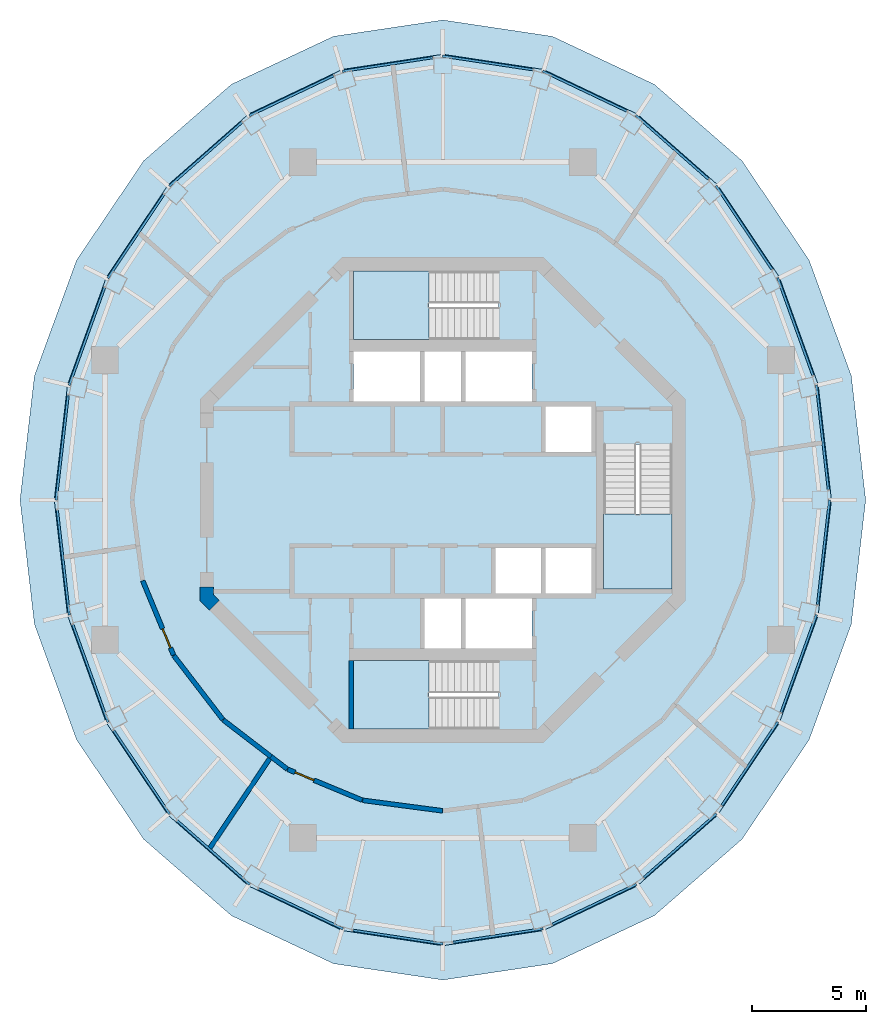
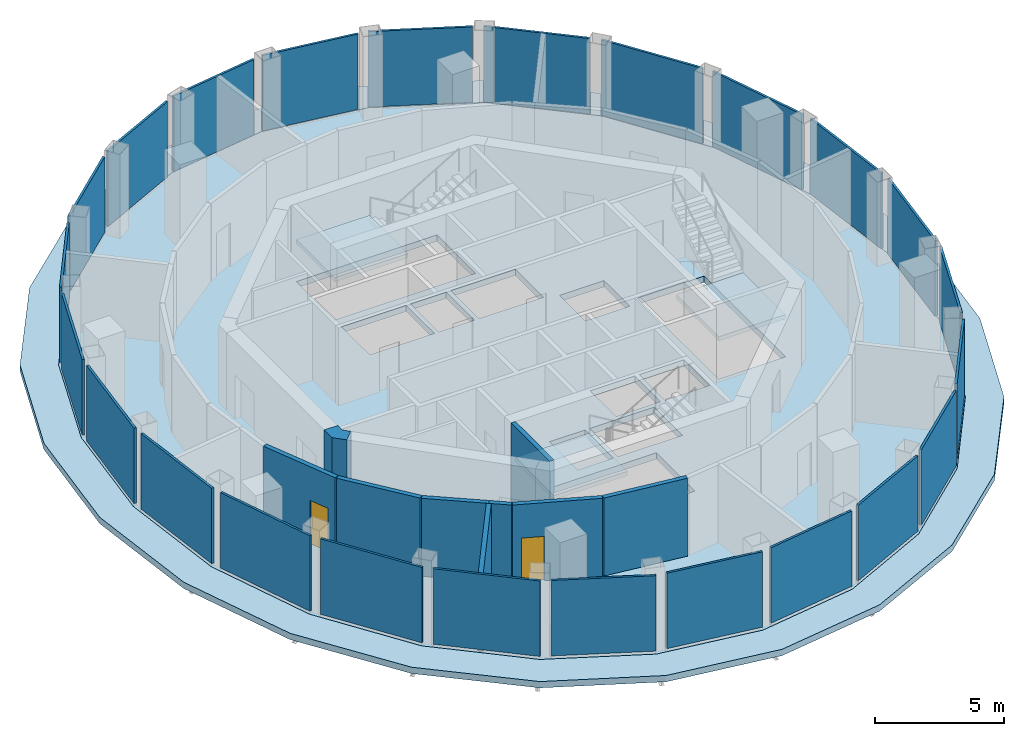
# One storey, part 7 of 11: 24 plates, 9 walls, 5 slabs, 2 doors, 2 openings, 27 elements without a shape of their own.
"""IFC4 building model written with IfcOpenShell, lengths in metres."""

from ifc_helpers import new_model, si_unit, direction, frame, frame_2d, origin, origin_2d, place, context, subcontext, project, spatial, polyline, rectangle, outline, extrude, material, layer, layer_set, type_object, element, fill, aggregate, save


model = new_model("IFC4")

# Units and contexts
model_context = context("Model", 3, precision=1e-05, world=origin(), true_north=direction((0.0, 1.0)))
body_context = subcontext(model_context, "Body", "Model", "MODEL_VIEW")
ifc_project = project(units=[si_unit("LENGTHUNIT", "METRE"), si_unit("AREAUNIT", "SQUARE_METRE"), si_unit("VOLUMEUNIT", "CUBIC_METRE"), si_unit("PLANEANGLEUNIT", "RADIAN"), si_unit("MASSUNIT", "GRAM", prefix="KILO")], contexts=[model_context])

# Site, building, storey
site_placement = place(None, origin())
site = spatial("IfcSite", under=ifc_project, at=site_placement, CompositionType="ELEMENT")
building_placement = place(site_placement, origin())
building = spatial("IfcBuilding", under=site, at=building_placement, Name="Nagisa Residences", CompositionType="ELEMENT")
storey_placement = place(building_placement, frame((0.0, 0.0, 324.89990234375)))
storey = spatial("IfcBuildingStorey", under=building, at=storey_placement, Name="L80", CompositionType="ELEMENT", Elevation=324.89990234375)

# Curtain wall, plate
ifc_material_1 = material(Name="Aluminium curtain wall system", Category="aluminium")
ifc_layer_1 = layer(ifc_material_1, 0.159912109375)
ifc_layer_set_1 = layer_set([ifc_layer_1], Name="CW5 CURTAIN WALL")
curtain_wall_type = type_object("IfcCurtainWallType", Name="CW5 CURTAIN WALL", PredefinedType="NOTDEFINED", material=ifc_layer_set_1)
curtain_wall_1_placement = place(storey_placement, origin())
curtain_wall_1 = element("IfcCurtainWall", 1, at=curtain_wall_1_placement, inside=storey, type_object=curtain_wall_type, Name="cw:CW5:L80:00", PredefinedType="NOTDEFINED")
ifc_material_2 = material(Name="Aluminium louvre", Category="aluminium")
ifc_layer_2 = layer(ifc_material_2, 0.10009765625)
ifc_layer_set_2 = layer_set([ifc_layer_2], Name="CW5 LOUVRE PANEL")
plate_type = type_object("IfcPlateType", Name="CW5 LOUVRE PANEL", PredefinedType="CURTAIN_PANEL", material=ifc_layer_set_2)
plate_1_placement = place(storey_placement, frame((16.604736328125, 2.742919921875, 0.1201171875), z_axis=(0.0, 0.0, 1.0), x_axis=(-0.114025397474, 0.993477835048, 0.0)))
plate_1 = element("IfcPlate", 2, at=plate_1_placement, type_object=plate_type, Name="CW5 panel", PredefinedType="CURTAIN_PANEL", context=body_context, shape_type="SweptSolid", body=[
    extrude(rectangle(XDim=4.6201171875, YDim=0.10009765625, at=origin_2d()), origin(), (0.0, 0.0, 1.0), 3.580078125),
])
aggregate(curtain_wall_1, [plate_1])

curtain_wall_2_placement = place(storey_placement, origin())
curtain_wall_2 = element("IfcCurtainWall", 3, at=curtain_wall_2_placement, inside=storey, type_object=curtain_wall_type, Name="cw:CW5:L80:01", PredefinedType="NOTDEFINED")
plate_2_placement = place(storey_placement, frame((15.418212890625, 7.587646484375, 0.1201171875), z_axis=(0.0, 0.0, 1.0), x_axis=(-0.339642923136, 0.940554456033, 0.0)))
plate_2 = element("IfcPlate", 4, at=plate_2_placement, type_object=plate_type, Name="CW5 panel", PredefinedType="CURTAIN_PANEL", context=body_context, shape_type="SweptSolid", body=[
    extrude(rectangle(XDim=4.540283203125, YDim=0.10009765625, at=origin_2d()), origin(), (0.0, 0.0, 1.0), 3.580078125),
])
aggregate(curtain_wall_2, [plate_2])

curtain_wall_3_placement = place(storey_placement, origin())
curtain_wall_3 = element("IfcCurtainWall", 5, at=curtain_wall_3_placement, inside=storey, type_object=curtain_wall_type, Name="cw:CW5:L80:02", PredefinedType="NOTDEFINED")
plate_3_placement = place(storey_placement, frame((13.17724609375, 11.916015625, 0.1201171875), z_axis=(0.0, 0.0, 1.0), x_axis=(-0.556014393027, 0.831172662415, 0.0)))
plate_3 = element("IfcPlate", 6, at=plate_3_placement, type_object=plate_type, Name="CW5 panel", PredefinedType="CURTAIN_PANEL", context=body_context, shape_type="SweptSolid", body=[
    extrude(rectangle(XDim=4.39892578125, YDim=0.10009765625, at=origin_2d()), origin(), (0.0, 0.0, 1.0), 3.580078125),
])
aggregate(curtain_wall_3, [plate_3])

curtain_wall_4_placement = place(storey_placement, origin())
curtain_wall_4 = element("IfcCurtainWall", 7, at=curtain_wall_4_placement, inside=storey, type_object=curtain_wall_type, Name="cw:CW5:L80:03", PredefinedType="NOTDEFINED")
plate_4_placement = place(storey_placement, frame((10.034912109375, 15.429931640625, 0.1201171875), z_axis=(0.0, 0.0, 1.0), x_axis=(-0.750650526795, 0.660699467703, 0.0)))
plate_4 = element("IfcPlate", 8, at=plate_4_placement, type_object=plate_type, Name="CW5 panel", PredefinedType="CURTAIN_PANEL", context=body_context, shape_type="SweptSolid", body=[
    extrude(rectangle(XDim=4.23046875, YDim=0.10009765625, at=origin_2d()), origin(), (0.0, 0.0, 1.0), 3.580078125),
])
aggregate(curtain_wall_4, [plate_4])

curtain_wall_5_placement = place(storey_placement, origin())
curtain_wall_5 = element("IfcCurtainWall", 9, at=curtain_wall_5_placement, inside=storey, type_object=curtain_wall_type, Name="cw:CW5:L80:04", PredefinedType="NOTDEFINED")
plate_5_placement = place(storey_placement, frame((6.2080078125, 17.887939453125, 0.1201171875), z_axis=(0.0, 0.0, 1.0), x_axis=(-0.903232929992, 0.429150642757, 0.0)))
plate_5 = element("IfcPlate", 10, at=plate_5_placement, type_object=plate_type, Name="CW5 panel", PredefinedType="CURTAIN_PANEL", context=body_context, shape_type="SweptSolid", body=[
    extrude(rectangle(XDim=4.079345703125, YDim=0.10009765625, at=origin_2d()), origin(), (0.0, 0.0, 1.0), 3.580078125),
])
aggregate(curtain_wall_5, [plate_5])

curtain_wall_6_placement = place(storey_placement, origin())
curtain_wall_6 = element("IfcCurtainWall", 11, at=curtain_wall_6_placement, inside=storey, type_object=curtain_wall_type, Name="cw:CW5:L80:05", PredefinedType="NOTDEFINED")
plate_6_placement = place(storey_placement, frame((1.960693359375, 19.123046875, 0.1201171875), z_axis=(0.0, 0.0, 1.0), x_axis=(-0.988788904158, 0.149320135997, 0.0)))
plate_6 = element("IfcPlate", 12, at=plate_6_placement, type_object=plate_type, Name="CW5 panel", PredefinedType="CURTAIN_PANEL", context=body_context, shape_type="SweptSolid", body=[
    extrude(rectangle(XDim=3.98974609375, YDim=0.10009765625, at=origin_2d()), origin(), (0.0, 0.0, 1.0), 3.580078125),
])
aggregate(curtain_wall_6, [plate_6])

curtain_wall_7_placement = place(storey_placement, origin())
curtain_wall_7 = element("IfcCurtainWall", 13, at=curtain_wall_7_placement, inside=storey, type_object=curtain_wall_type, Name="cw:CW5:L80:06", PredefinedType="NOTDEFINED")
plate_7_placement = place(storey_placement, frame((-2.41552734375, 19.054443359375, 0.1201171875), z_axis=(0.0, 0.0, 1.0), x_axis=(-0.988788904158, -0.149320135997, 0.0)))
plate_7 = element("IfcPlate", 14, at=plate_7_placement, type_object=plate_type, Name="CW5 panel", PredefinedType="CURTAIN_PANEL", context=body_context, shape_type="SweptSolid", body=[
    extrude(rectangle(XDim=3.98974609375, YDim=0.10009765625, at=origin_2d()), origin(), (0.0, 0.0, 1.0), 3.580078125),
])
aggregate(curtain_wall_7, [plate_7])

curtain_wall_8_placement = place(storey_placement, origin())
curtain_wall_8 = element("IfcCurtainWall", 15, at=curtain_wall_8_placement, inside=storey, type_object=curtain_wall_type, Name="cw:CW5:L80:07", PredefinedType="NOTDEFINED")
plate_8_placement = place(storey_placement, frame((-6.623291015625, 17.690673828125, 0.1201171875), z_axis=(0.0, 0.0, 1.0), x_axis=(-0.903232929992, -0.429150642757, 0.0)))
plate_8 = element("IfcPlate", 16, at=plate_8_placement, type_object=plate_type, Name="CW5 panel", PredefinedType="CURTAIN_PANEL", context=body_context, shape_type="SweptSolid", body=[
    extrude(rectangle(XDim=4.079345703125, YDim=0.10009765625, at=origin_2d()), origin(), (0.0, 0.0, 1.0), 3.580078125),
])
aggregate(curtain_wall_8, [plate_8])

curtain_wall_9_placement = place(storey_placement, origin())
curtain_wall_9 = element("IfcCurtainWall", 17, at=curtain_wall_9_placement, inside=storey, type_object=curtain_wall_type, Name="cw:CW5:L80:08", PredefinedType="NOTDEFINED")
plate_9_placement = place(storey_placement, frame((-10.380126953125, 15.1259765625, 0.1201171875), z_axis=(0.0, 0.0, 1.0), x_axis=(-0.750650526795, -0.660699467703, 0.0)))
plate_9 = element("IfcPlate", 18, at=plate_9_placement, type_object=plate_type, Name="CW5 panel", PredefinedType="CURTAIN_PANEL", context=body_context, shape_type="SweptSolid", body=[
    extrude(rectangle(XDim=4.23046875, YDim=0.10009765625, at=origin_2d()), origin(), (0.0, 0.0, 1.0), 3.580078125),
])
aggregate(curtain_wall_9, [plate_9])

curtain_wall_10_placement = place(storey_placement, origin())
curtain_wall_10 = element("IfcCurtainWall", 19, at=curtain_wall_10_placement, inside=storey, type_object=curtain_wall_type, Name="cw:CW5:L80:09", PredefinedType="NOTDEFINED")
plate_10_placement = place(storey_placement, frame((-13.43310546875, 11.53369140625, 0.1201171875), z_axis=(0.0, 0.0, 1.0), x_axis=(-0.556014393027, -0.831172662415, 0.0)))
plate_10 = element("IfcPlate", 20, at=plate_10_placement, type_object=plate_type, Name="CW5 panel", PredefinedType="CURTAIN_PANEL", context=body_context, shape_type="SweptSolid", body=[
    extrude(rectangle(XDim=4.39892578125, YDim=0.10009765625, at=origin_2d()), origin(), (0.0, 0.0, 1.0), 3.580078125),
])
aggregate(curtain_wall_10, [plate_10])

curtain_wall_11_placement = place(storey_placement, origin())
curtain_wall_11 = element("IfcCurtainWall", 21, at=curtain_wall_11_placement, inside=storey, type_object=curtain_wall_type, Name="cw:CW5:L80:10", PredefinedType="NOTDEFINED")
plate_11_placement = place(storey_placement, frame((-15.574462890625, 7.155029296875, 0.1201171875), z_axis=(0.0, 0.0, 1.0), x_axis=(-0.339642923136, -0.940554456033, 0.0)))
plate_11 = element("IfcPlate", 22, at=plate_11_placement, type_object=plate_type, Name="CW5 panel", PredefinedType="CURTAIN_PANEL", context=body_context, shape_type="SweptSolid", body=[
    extrude(rectangle(XDim=4.540283203125, YDim=0.10009765625, at=origin_2d()), origin(), (0.0, 0.0, 1.0), 3.580078125),
])
aggregate(curtain_wall_11, [plate_11])

curtain_wall_12_placement = place(storey_placement, origin())
curtain_wall_12 = element("IfcCurtainWall", 23, at=curtain_wall_12_placement, inside=storey, type_object=curtain_wall_type, Name="cw:CW5:L80:11", PredefinedType="NOTDEFINED")
plate_12_placement = place(storey_placement, frame((-16.6572265625, 2.285888671875, 0.1201171875), z_axis=(0.0, 0.0, 1.0), x_axis=(-0.114025397474, -0.993477835048, 0.0)))
plate_12 = element("IfcPlate", 24, at=plate_12_placement, type_object=plate_type, Name="CW5 panel", PredefinedType="CURTAIN_PANEL", context=body_context, shape_type="SweptSolid", body=[
    extrude(rectangle(XDim=4.6201171875, YDim=0.10009765625, at=origin_2d()), origin(), (0.0, 0.0, 1.0), 3.580078125),
])
aggregate(curtain_wall_12, [plate_12])

curtain_wall_13_placement = place(storey_placement, origin())
curtain_wall_13 = element("IfcCurtainWall", 25, at=curtain_wall_13_placement, inside=storey, type_object=curtain_wall_type, Name="cw:CW5:L80:12", PredefinedType="NOTDEFINED")
plate_13_placement = place(storey_placement, frame((-16.604736328125, -2.742919921875, 0.1201171875), z_axis=(0.0, 0.0, 1.0), x_axis=(0.114025397474, -0.993477835048, 0.0)))
plate_13 = element("IfcPlate", 26, at=plate_13_placement, type_object=plate_type, Name="CW5 panel", PredefinedType="CURTAIN_PANEL", context=body_context, shape_type="SweptSolid", body=[
    extrude(rectangle(XDim=4.6201171875, YDim=0.10009765625, at=origin_2d()), origin(), (0.0, 0.0, 1.0), 3.580078125),
])
aggregate(curtain_wall_13, [plate_13])

curtain_wall_14_placement = place(storey_placement, origin())
curtain_wall_14 = element("IfcCurtainWall", 27, at=curtain_wall_14_placement, inside=storey, type_object=curtain_wall_type, Name="cw:CW5:L80:13", PredefinedType="NOTDEFINED")
plate_14_placement = place(storey_placement, frame((-15.418212890625, -7.587646484375, 0.1201171875), z_axis=(0.0, 0.0, 1.0), x_axis=(0.339642923136, -0.940554456033, 0.0)))
plate_14 = element("IfcPlate", 28, at=plate_14_placement, type_object=plate_type, Name="CW5 panel", PredefinedType="CURTAIN_PANEL", context=body_context, shape_type="SweptSolid", body=[
    extrude(rectangle(XDim=4.540283203125, YDim=0.10009765625, at=origin_2d()), origin(), (0.0, 0.0, 1.0), 3.580078125),
])
aggregate(curtain_wall_14, [plate_14])

curtain_wall_15_placement = place(storey_placement, origin())
curtain_wall_15 = element("IfcCurtainWall", 29, at=curtain_wall_15_placement, inside=storey, type_object=curtain_wall_type, Name="cw:CW5:L80:14", PredefinedType="NOTDEFINED")
plate_15_placement = place(storey_placement, frame((-13.17724609375, -11.916015625, 0.1201171875), z_axis=(0.0, 0.0, 1.0), x_axis=(0.556014393027, -0.831172662415, 0.0)))
plate_15 = element("IfcPlate", 30, at=plate_15_placement, type_object=plate_type, Name="CW5 panel", PredefinedType="CURTAIN_PANEL", context=body_context, shape_type="SweptSolid", body=[
    extrude(rectangle(XDim=4.39892578125, YDim=0.10009765625, at=origin_2d()), origin(), (0.0, 0.0, 1.0), 3.580078125),
])
aggregate(curtain_wall_15, [plate_15])

curtain_wall_16_placement = place(storey_placement, origin())
curtain_wall_16 = element("IfcCurtainWall", 31, at=curtain_wall_16_placement, inside=storey, type_object=curtain_wall_type, Name="cw:CW5:L80:15", PredefinedType="NOTDEFINED")
plate_16_placement = place(storey_placement, frame((-10.034912109375, -15.429931640625, 0.1201171875), z_axis=(0.0, 0.0, 1.0), x_axis=(0.750650526795, -0.660699467703, 0.0)))
plate_16 = element("IfcPlate", 32, at=plate_16_placement, type_object=plate_type, Name="CW5 panel", PredefinedType="CURTAIN_PANEL", context=body_context, shape_type="SweptSolid", body=[
    extrude(rectangle(XDim=4.23046875, YDim=0.10009765625, at=origin_2d()), origin(), (0.0, 0.0, 1.0), 3.580078125),
])
aggregate(curtain_wall_16, [plate_16])

curtain_wall_17_placement = place(storey_placement, origin())
curtain_wall_17 = element("IfcCurtainWall", 33, at=curtain_wall_17_placement, inside=storey, type_object=curtain_wall_type, Name="cw:CW5:L80:16", PredefinedType="NOTDEFINED")
plate_17_placement = place(storey_placement, frame((-6.2080078125, -17.887939453125, 0.1201171875), z_axis=(0.0, 0.0, 1.0), x_axis=(0.903232929992, -0.429150642757, 0.0)))
plate_17 = element("IfcPlate", 34, at=plate_17_placement, type_object=plate_type, Name="CW5 panel", PredefinedType="CURTAIN_PANEL", context=body_context, shape_type="SweptSolid", body=[
    extrude(rectangle(XDim=4.079345703125, YDim=0.10009765625, at=origin_2d()), origin(), (0.0, 0.0, 1.0), 3.580078125),
])
aggregate(curtain_wall_17, [plate_17])

curtain_wall_18_placement = place(storey_placement, origin())
curtain_wall_18 = element("IfcCurtainWall", 35, at=curtain_wall_18_placement, inside=storey, type_object=curtain_wall_type, Name="cw:CW5:L80:17", PredefinedType="NOTDEFINED")
plate_18_placement = place(storey_placement, frame((-1.960693359375, -19.123046875, 0.1201171875), z_axis=(0.0, 0.0, 1.0), x_axis=(0.988788904158, -0.149320135997, 0.0)))
plate_18 = element("IfcPlate", 36, at=plate_18_placement, type_object=plate_type, Name="CW5 panel", PredefinedType="CURTAIN_PANEL", context=body_context, shape_type="SweptSolid", body=[
    extrude(rectangle(XDim=3.98974609375, YDim=0.10009765625, at=origin_2d()), origin(), (0.0, 0.0, 1.0), 3.580078125),
])
aggregate(curtain_wall_18, [plate_18])

curtain_wall_19_placement = place(storey_placement, origin())
curtain_wall_19 = element("IfcCurtainWall", 37, at=curtain_wall_19_placement, inside=storey, type_object=curtain_wall_type, Name="cw:CW5:L80:18", PredefinedType="NOTDEFINED")
plate_19_placement = place(storey_placement, frame((2.41552734375, -19.054443359375, 0.1201171875), z_axis=(0.0, 0.0, 1.0), x_axis=(0.988788904158, 0.149320135997, 0.0)))
plate_19 = element("IfcPlate", 38, at=plate_19_placement, type_object=plate_type, Name="CW5 panel", PredefinedType="CURTAIN_PANEL", context=body_context, shape_type="SweptSolid", body=[
    extrude(rectangle(XDim=3.98974609375, YDim=0.10009765625, at=origin_2d()), origin(), (0.0, 0.0, 1.0), 3.580078125),
])
aggregate(curtain_wall_19, [plate_19])

curtain_wall_20_placement = place(storey_placement, origin())
curtain_wall_20 = element("IfcCurtainWall", 39, at=curtain_wall_20_placement, inside=storey, type_object=curtain_wall_type, Name="cw:CW5:L80:19", PredefinedType="NOTDEFINED")
plate_20_placement = place(storey_placement, frame((6.623291015625, -17.690673828125, 0.1201171875), z_axis=(0.0, 0.0, 1.0), x_axis=(0.903232929992, 0.429150642757, 0.0)))
plate_20 = element("IfcPlate", 40, at=plate_20_placement, type_object=plate_type, Name="CW5 panel", PredefinedType="CURTAIN_PANEL", context=body_context, shape_type="SweptSolid", body=[
    extrude(rectangle(XDim=4.079345703125, YDim=0.10009765625, at=origin_2d()), origin(), (0.0, 0.0, 1.0), 3.580078125),
])
aggregate(curtain_wall_20, [plate_20])

curtain_wall_21_placement = place(storey_placement, origin())
curtain_wall_21 = element("IfcCurtainWall", 41, at=curtain_wall_21_placement, inside=storey, type_object=curtain_wall_type, Name="cw:CW5:L80:20", PredefinedType="NOTDEFINED")
plate_21_placement = place(storey_placement, frame((10.380126953125, -15.1259765625, 0.1201171875), z_axis=(0.0, 0.0, 1.0), x_axis=(0.750650526795, 0.660699467703, 0.0)))
plate_21 = element("IfcPlate", 42, at=plate_21_placement, type_object=plate_type, Name="CW5 panel", PredefinedType="CURTAIN_PANEL", context=body_context, shape_type="SweptSolid", body=[
    extrude(rectangle(XDim=4.23046875, YDim=0.10009765625, at=origin_2d()), origin(), (0.0, 0.0, 1.0), 3.580078125),
])
aggregate(curtain_wall_21, [plate_21])

curtain_wall_22_placement = place(storey_placement, origin())
curtain_wall_22 = element("IfcCurtainWall", 43, at=curtain_wall_22_placement, inside=storey, type_object=curtain_wall_type, Name="cw:CW5:L80:21", PredefinedType="NOTDEFINED")
plate_22_placement = place(storey_placement, frame((13.43310546875, -11.53369140625, 0.1201171875), z_axis=(0.0, 0.0, 1.0), x_axis=(0.556014393027, 0.831172662415, 0.0)))
plate_22 = element("IfcPlate", 44, at=plate_22_placement, type_object=plate_type, Name="CW5 panel", PredefinedType="CURTAIN_PANEL", context=body_context, shape_type="SweptSolid", body=[
    extrude(rectangle(XDim=4.39892578125, YDim=0.10009765625, at=origin_2d()), origin(), (0.0, 0.0, 1.0), 3.580078125),
])
aggregate(curtain_wall_22, [plate_22])

curtain_wall_23_placement = place(storey_placement, origin())
curtain_wall_23 = element("IfcCurtainWall", 45, at=curtain_wall_23_placement, inside=storey, type_object=curtain_wall_type, Name="cw:CW5:L80:22", PredefinedType="NOTDEFINED")
plate_23_placement = place(storey_placement, frame((15.574462890625, -7.155029296875, 0.1201171875), z_axis=(0.0, 0.0, 1.0), x_axis=(0.339642923136, 0.940554456033, 0.0)))
plate_23 = element("IfcPlate", 46, at=plate_23_placement, type_object=plate_type, Name="CW5 panel", PredefinedType="CURTAIN_PANEL", context=body_context, shape_type="SweptSolid", body=[
    extrude(rectangle(XDim=4.540283203125, YDim=0.10009765625, at=origin_2d()), origin(), (0.0, 0.0, 1.0), 3.580078125),
])
aggregate(curtain_wall_23, [plate_23])

curtain_wall_24_placement = place(storey_placement, origin())
curtain_wall_24 = element("IfcCurtainWall", 47, at=curtain_wall_24_placement, inside=storey, type_object=curtain_wall_type, Name="cw:CW5:L80:23", PredefinedType="NOTDEFINED")
plate_24_placement = place(storey_placement, frame((16.6572265625, -2.285888671875, 0.1201171875), z_axis=(0.0, 0.0, 1.0), x_axis=(0.114025397474, 0.993477835048, 0.0)))
plate_24 = element("IfcPlate", 48, at=plate_24_placement, type_object=plate_type, Name="CW5 panel", PredefinedType="CURTAIN_PANEL", context=body_context, shape_type="SweptSolid", body=[
    extrude(rectangle(XDim=4.6201171875, YDim=0.10009765625, at=origin_2d()), origin(), (0.0, 0.0, 1.0), 3.580078125),
])
aggregate(curtain_wall_24, [plate_24])

# Slabs
ifc_material_3 = material(Name="Concrete C40", Category="concrete")
ifc_layer_3 = layer(ifc_material_3, 0.300048828125)
ifc_layer_set_3 = layer_set([ifc_layer_3], Name="Floor slab 300")
slab_type_1 = type_object("IfcSlabType", Name="Floor slab 300", PredefinedType="FLOOR", material=ifc_layer_set_3)
slab_1_placement = place(storey_placement, frame((0.0, 0.0, -0.2998046875)))
element("IfcSlab", 49, at=slab_1_placement, inside=storey, type_object=slab_type_1, Name="slab:L80:floor", PredefinedType="FLOOR", context=body_context, shape_type="SweptSolid", body=[
    extrude(outline(polyline([(17.0, 0.0), (16.420654296875, 5.046875), (14.722412109375, 9.75), (12.020751953125, 13.78857421875), (8.5, 16.887451171875), (4.39990234375, 18.83544921875), (0.0, 19.5), (-4.39990234375, 18.83544921875), (-8.5, 16.887451171875), (-12.020751953125, 13.78857421875), (-14.722412109375, 9.75), (-16.420654296875, 5.046875), (-17.0, 0.0), (-16.420654296875, -5.046875), (-14.722412109375, -9.75), (-12.020751953125, -13.78857421875), (-8.5, -16.887451171875), (-4.39990234375, -18.83544921875), (0.0, -19.5), (4.39990234375, -18.83544921875), (8.5, -16.887451171875), (12.020751953125, -13.78857421875), (14.722412109375, -9.75), (16.420654296875, -5.046875), (17.0, 0.0)]), holes=[polyline([(6.5, 2.10009765625), (6.5, 4.10009765625), (4.5, 4.10009765625), (4.5, 2.10009765625), (6.5, 2.10009765625)]), polyline([(4.300048828125, -4.10009765625), (4.300048828125, -2.10009765625), (2.300048828125, -2.10009765625), (2.300048828125, -4.10009765625), (4.300048828125, -4.10009765625)]), polyline([(6.5, -4.10009765625), (6.5, -2.10009765625), (4.5, -2.10009765625), (4.5, -4.10009765625), (6.5, -4.10009765625)]), polyline([(3.89990234375, 4.300048828125), (3.89990234375, 6.5), (1.0, 6.5), (1.0, 4.300048828125), (3.89990234375, 4.300048828125)]), polyline([(3.89990234375, -6.5), (3.89990234375, -4.300048828125), (1.0, -4.300048828125), (1.0, -6.5), (3.89990234375, -6.5)]), polyline([(-1.0, 4.300048828125), (-1.0, 6.5), (-3.89990234375, 6.5), (-3.89990234375, 4.300048828125), (-1.0, 4.300048828125)]), polyline([(0.800048828125, 4.300048828125), (0.800048828125, 6.5), (-0.800048828125, 6.5), (-0.800048828125, 4.300048828125), (0.800048828125, 4.300048828125)]), polyline([(0.800048828125, -6.5), (0.800048828125, -4.300048828125), (-0.800048828125, -4.300048828125), (-0.800048828125, -6.5), (0.800048828125, -6.5)]), polyline([(10.024658203125, -3.89990234375), (7.024658203125, -3.89990234375), (7.024658203125, 2.425048828125), (10.024658203125, 2.425048828125), (10.024658203125, -3.89990234375)]), polyline([(-3.89990234375, 7.024658203125), (-3.89990234375, 10.024658203125), (2.425048828125, 10.024658203125), (2.425048828125, 7.024658203125), (-3.89990234375, 7.024658203125)]), polyline([(-3.89990234375, -10.024658203125), (-3.89990234375, -7.024658203125), (2.425048828125, -7.024658203125), (2.425048828125, -10.024658203125), (-3.89990234375, -10.024658203125)])]), origin(), (0.0, 0.0, 1.0), 0.2998046875),
])
ifc_material_4 = material(Name="Concrete C40/50", Category="concrete")
ifc_layer_4 = layer(ifc_material_4, 0.300048828125)
ifc_layer_set_4 = layer_set([ifc_layer_4], Name="LANTERN RING ROOF 300")
slab_type_2 = type_object("IfcSlabType", Name="LANTERN RING ROOF 300", PredefinedType="ROOF", material=ifc_layer_set_4)
slab_2_placement = place(storey_placement, frame((0.0, 0.0, -0.2998046875)))
element("IfcSlab", 50, at=slab_2_placement, inside=storey, type_object=slab_type_2, Name="slab:L79:lanternroof", PredefinedType="ROOF", context=body_context, shape_type="SweptSolid", body=[
    extrude(outline(polyline([(18.5, 0.0), (17.86962890625, 5.435302734375), (16.021484375, 10.5), (13.08154296875, 14.84912109375), (9.25, 18.1865234375), (4.7880859375, 20.284423828125), (0.0, 21.0), (-4.7880859375, 20.284423828125), (-9.25, 18.1865234375), (-13.08154296875, 14.84912109375), (-16.021484375, 10.5), (-17.86962890625, 5.435302734375), (-18.5, 0.0), (-17.86962890625, -5.435302734375), (-16.021484375, -10.5), (-13.08154296875, -14.84912109375), (-9.25, -18.1865234375), (-4.7880859375, -20.284423828125), (0.0, -21.0), (4.7880859375, -20.284423828125), (9.25, -18.1865234375), (13.08154296875, -14.84912109375), (16.021484375, -10.5), (17.86962890625, -5.435302734375), (18.5, 0.0)]), holes=[polyline([(17.0, 0.0), (16.420654296875, 5.046875), (14.722412109375, 9.75), (12.020751953125, 13.78857421875), (8.5, 16.887451171875), (4.39990234375, 18.83544921875), (0.0, 19.5), (-4.39990234375, 18.83544921875), (-8.5, 16.887451171875), (-12.020751953125, 13.78857421875), (-14.722412109375, 9.75), (-16.420654296875, 5.046875), (-17.0, 0.0), (-16.420654296875, -5.046875), (-14.722412109375, -9.75), (-12.020751953125, -13.78857421875), (-8.5, -16.887451171875), (-4.39990234375, -18.83544921875), (0.0, -19.5), (4.39990234375, -18.83544921875), (8.5, -16.887451171875), (12.020751953125, -13.78857421875), (14.722412109375, -9.75), (16.420654296875, -5.046875), (17.0, 0.0)])]), origin(), (0.0, 0.0, 1.0), 0.2998046875),
])

# Stair, slab
ifc_material_5 = material(Name="Concrete C60", Category="concrete")
stair_type = type_object("IfcStairType", Name="Exit stair", PredefinedType="HALF_TURN_STAIR", material=ifc_material_5)
stair_1_placement = place(storey_placement, origin())
stair_1 = element("IfcStair", 51, at=stair_1_placement, inside=storey, type_object=stair_type, Name="L80 Exit stair E", PredefinedType="HALF_TURN_STAIR")
ifc_material_6 = material(Name="Concrete C60", Category="concrete")
ifc_layer_5 = layer(ifc_material_6, 0.199951171875)
ifc_layer_set_5 = layer_set([ifc_layer_5], Name="Stair landing")
slab_type_3 = type_object("IfcSlabType", Name="Stair landing", PredefinedType="LANDING", material=ifc_layer_set_5)
slab_3_placement = place(storey_placement, frame((0.0, 0.0, 1.800048828125)))
slab_3 = element("IfcSlab", 52, at=slab_3_placement, type_object=slab_type_3, Name="ST-E landing 1", PredefinedType="LANDING", context=body_context, shape_type="SweptSolid", body=[
    extrude(outline(polyline([(7.024658203125, -0.60498046875), (7.024658203125, -3.89990234375), (10.024658203125, -3.89990234375), (10.024658203125, -0.60498046875), (7.024658203125, -0.60498046875)])), origin(), (0.0, 0.0, 1.0), 0.199951171875),
])
aggregate(stair_1, [slab_3])

stair_2_placement = place(storey_placement, origin())
stair_2 = element("IfcStair", 53, at=stair_2_placement, inside=storey, type_object=stair_type, Name="L80 Exit stair N", PredefinedType="HALF_TURN_STAIR")
slab_4_placement = place(storey_placement, frame((0.0, 0.0, 1.800048828125)))
slab_4 = element("IfcSlab", 54, at=slab_4_placement, type_object=slab_type_3, Name="ST-N landing 1", PredefinedType="LANDING", context=body_context, shape_type="SweptSolid", body=[
    extrude(outline(polyline([(-0.60498046875, 10.024658203125), (-3.89990234375, 10.024658203125), (-3.89990234375, 7.024658203125), (-0.60498046875, 7.024658203125), (-0.60498046875, 10.024658203125)])), origin(), (0.0, 0.0, 1.0), 0.199951171875),
])
aggregate(stair_2, [slab_4])

stair_3_placement = place(storey_placement, origin())
stair_3 = element("IfcStair", 55, at=stair_3_placement, inside=storey, type_object=stair_type, Name="L80 Exit stair S", PredefinedType="HALF_TURN_STAIR")
slab_5_placement = place(storey_placement, frame((0.0, 0.0, 1.800048828125)))
slab_5 = element("IfcSlab", 56, at=slab_5_placement, type_object=slab_type_3, Name="ST-S landing 1", PredefinedType="LANDING", context=body_context, shape_type="SweptSolid", body=[
    extrude(outline(polyline([(-0.60498046875, -7.024658203125), (-3.89990234375, -7.024658203125), (-3.89990234375, -10.024658203125), (-0.60498046875, -10.024658203125), (-0.60498046875, -7.024658203125)])), origin(), (0.0, 0.0, 1.0), 0.199951171875),
])
aggregate(stair_3, [slab_5])

# Wall
ifc_material_7 = material(Name="Concrete C60", Category="concrete")
ifc_layer_6 = layer(ifc_material_7, 0.60009765625)
ifc_layer_set_6 = layer_set([ifc_layer_6], Name="Core shear wall 600")
wall_type_1 = type_object("IfcWallType", Name="Core shear wall 600", PredefinedType="SHEAR", material=ifc_layer_set_6)
wall_1_placement = place(storey_placement, origin())
element("IfcWall", 57, at=wall_1_placement, inside=storey, type_object=wall_type_1, Name="wall:L80:core:pier4", PredefinedType="SHEAR", context=body_context, shape_type="SweptSolid", body=[
    extrude(outline(polyline([(-10.62451171875, -3.80078125), (-10.024658203125, -3.80078125), (-10.024658203125, -4.15234375), (-9.776123046875, -4.40087890625), (-10.200439453125, -4.8251953125), (-10.62451171875, -4.40087890625), (-10.62451171875, -3.80078125)])), origin(), (0.0, 0.0, 1.0), 3.7001953125),
])

# Wall, opening, door
ifc_material_8 = material(Name="Gypsum board on steel studs", Category="steel")
ifc_layer_7 = layer(ifc_material_8, 0.199951171875)
ifc_layer_set_7 = layer_set([ifc_layer_7], Name="Plant room wall EI120 200")
wall_type_2 = type_object("IfcWallType", Name="Plant room wall EI120 200", PredefinedType="PARTITIONING", material=ifc_layer_set_7)
wall_2_placement = place(storey_placement, frame((-11.78369140625, -6.785888671875, 0.0), z_axis=(0.0, 0.0, 1.0), x_axis=(-0.382723413813, 0.92386297064, 0.0)))
wall_2 = element("IfcWall", 58, at=wall_2_placement, inside=storey, type_object=wall_type_2, Name="wall:L80:am009", PredefinedType="PARTITIONING", context=body_context, shape_type="SweptSolid", body=[
    extrude(rectangle(XDim=3.52001953125, YDim=0.199951171875, at=frame_2d((1.760009765625, 0.0))), origin(), (0.0, 0.0, 1.0), 3.7001953125),
])
opening_1_placement = place(wall_2_placement, frame((0.34228515625, 0.0, 0.0)))
opening_1 = element("IfcOpeningElement", 59, at=opening_1_placement, cuts=wall_2, Name="Opening L80-A05", PredefinedType="OPENING", context=body_context, shape_type="SweptSolid", body=[
    extrude(rectangle(XDim=0.89990234375, YDim=2.10009765625, at=frame_2d((0.449951171875, 1.050048828125))), frame((0.0, 0.10986328125, 0.0), z_axis=(0.0, -1.0, 0.0), x_axis=(1.0, 0.0, 0.0)), (0.0, 0.0, 1.0), 0.219970703125),
])
ifc_material_9 = material(Name="Steel fire door", Category="steel")
door_type = type_object("IfcDoorType", Name="Fire door EI120 900x2100 single swing", OperationType="NOTDEFINED", PredefinedType="DOOR", material=ifc_material_9)
door_1_placement = place(opening_1_placement, origin())
door_1 = element("IfcDoor", 60, at=door_1_placement, inside=storey, type_object=door_type, Name="Water tank room door", OperationType="SINGLE_SWING_LEFT", OverallHeight=2.10009765625, OverallWidth=0.89990234375, PredefinedType="DOOR", context=body_context, shape_type="SweptSolid", body=[
    extrude(rectangle(XDim=0.89990234375, YDim=2.10009765625, at=frame_2d((0.449951171875, 1.050048828125))), frame((0.0, 0.02490234375, 0.0), z_axis=(0.0, -1.0, 0.0), x_axis=(1.0, 0.0, 0.0)), (0.0, 0.0, 1.0), 0.050048828125),
])
fill(opening_1, door_1)

# Walls
wall_3_placement = place(storey_placement, frame((-9.6259765625, -9.604736328125, 0.0), z_axis=(0.0, 0.0, 1.0), x_axis=(-0.608697977542, 0.793402024283, 0.0)))
element("IfcWall", 61, at=wall_3_placement, inside=storey, type_object=wall_type_2, Name="wall:L80:am013", PredefinedType="PARTITIONING", context=body_context, shape_type="SweptSolid", body=[
    extrude(rectangle(XDim=3.52001953125, YDim=0.199951171875, at=frame_2d((1.760009765625, 0.0))), origin(), (0.0, 0.0, 1.0), 3.7001953125),
])
wall_4_placement = place(storey_placement, frame((-7.572265625, -11.311279296875, 0.0), z_axis=(0.0, 0.0, 1.0), x_axis=(-0.55629198168, -0.830986901893, 0.0)))
element("IfcWall", 62, at=wall_4_placement, inside=storey, type_object=wall_type_2, Name="wall:L80:am015", PredefinedType="PARTITIONING", context=body_context, shape_type="SweptSolid", body=[
    extrude(rectangle(XDim=4.73974609375, YDim=0.199951171875, at=frame_2d((2.369873046875, 0.0))), origin(), (0.0, 0.0, 1.0), 3.7001953125),
])
wall_5_placement = place(storey_placement, frame((-7.5166015625, -11.22802734375, 0.0), z_axis=(0.0, 0.0, 1.0), x_axis=(-0.793395797287, 0.608706093979, 0.0)))
element("IfcWall", 63, at=wall_5_placement, inside=storey, type_object=wall_type_2, Name="wall:L80:am016", PredefinedType="PARTITIONING", context=body_context, shape_type="SweptSolid", body=[
    extrude(rectangle(XDim=2.6318359375, YDim=0.199951171875, at=frame_2d((1.31591796875, 0.0))), origin(), (0.0, 0.0, 1.0), 3.7001953125),
])
wall_6_placement = place(storey_placement, frame((-6.81201171875, -11.7685546875, 0.0), z_axis=(0.0, 0.0, 1.0), x_axis=(-0.793420478802, 0.608673922407, 0.0)))
element("IfcWall", 64, at=wall_6_placement, inside=storey, type_object=wall_type_2, Name="wall:L80:am017", PredefinedType="PARTITIONING", context=body_context, shape_type="SweptSolid", body=[
    extrude(rectangle(XDim=0.887939453125, YDim=0.199951171875, at=frame_2d((0.44384765625, 0.0))), origin(), (0.0, 0.0, 1.0), 3.7001953125),
])

# Wall, opening, door
wall_7_placement = place(storey_placement, frame((-3.533935546875, -13.130859375, 0.0), z_axis=(0.0, 0.0, 1.0), x_axis=(-0.92386297064, 0.382723413813, 0.0)))
wall_7 = element("IfcWall", 65, at=wall_7_placement, inside=storey, type_object=wall_type_2, Name="wall:L80:am019", PredefinedType="PARTITIONING", context=body_context, shape_type="SweptSolid", body=[
    extrude(rectangle(XDim=3.52001953125, YDim=0.199951171875, at=frame_2d((1.760009765625, 0.0))), origin(), (0.0, 0.0, 1.0), 3.7001953125),
])
opening_2_placement = place(wall_7_placement, frame((2.277587890625, 0.0, 0.0)))
opening_2 = element("IfcOpeningElement", 66, at=opening_2_placement, cuts=wall_7, Name="Opening L80-A06", PredefinedType="OPENING", context=body_context, shape_type="SweptSolid", body=[
    extrude(rectangle(XDim=0.89990234375, YDim=2.10009765625, at=frame_2d((0.449951171875, 1.050048828125))), frame((0.0, 0.10986328125, 0.0), z_axis=(0.0, -1.0, 0.0), x_axis=(1.0, 0.0, 0.0)), (0.0, 0.0, 1.0), 0.219970703125),
])
door_2_placement = place(opening_2_placement, origin())
door_2 = element("IfcDoor", 67, at=door_2_placement, inside=storey, type_object=door_type, Name="Pump room door", OperationType="SINGLE_SWING_RIGHT", OverallHeight=2.10009765625, OverallWidth=0.89990234375, PredefinedType="DOOR", context=body_context, shape_type="SweptSolid", body=[
    extrude(rectangle(XDim=0.89990234375, YDim=2.10009765625, at=frame_2d((0.449951171875, 1.050048828125))), frame((0.0, 0.02490234375, 0.0), z_axis=(0.0, -1.0, 0.0), x_axis=(1.0, 0.0, 0.0)), (0.0, 0.0, 1.0), 0.050048828125),
])
fill(opening_2, door_2)

# Walls
wall_8_placement = place(storey_placement, frame((-0.01513671875, -13.597900390625, 0.0), z_axis=(0.0, 0.0, 1.0), x_axis=(-0.991452406768, 0.130468866457, 0.0)))
element("IfcWall", 68, at=wall_8_placement, inside=storey, type_object=wall_type_2, Name="wall:L80:am023", PredefinedType="PARTITIONING", context=body_context, shape_type="SweptSolid", body=[
    extrude(rectangle(XDim=3.519775390625, YDim=0.199951171875, at=frame_2d((1.759765625, 0.0))), origin(), (0.0, 0.0, 1.0), 3.7001953125),
])
ifc_material_10 = material(Name="Concrete C60", Category="concrete")
ifc_layer_8 = layer(ifc_material_10, 0.199951171875)
ifc_layer_set_8 = layer_set([ifc_layer_8], Name="Stair enclosure wall 200")
wall_type_3 = type_object("IfcWallType", Name="Stair enclosure wall 200", PredefinedType="SOLIDWALL", material=ifc_layer_set_8)
wall_9_placement = place(storey_placement, origin())
element("IfcWall", 69, at=wall_9_placement, inside=storey, type_object=wall_type_3, Name="wall:L80:SS_w", PredefinedType="SOLIDWALL", context=body_context, shape_type="SweptSolid", body=[
    extrude(outline(polyline([(-3.89990234375, -10.024658203125), (-4.10009765625, -10.024658203125), (-4.10009765625, -7.024658203125), (-3.89990234375, -7.024658203125), (-3.89990234375, -10.024658203125)])), origin(), (0.0, 0.0, 1.0), 3.7001953125),
])

save(model, "model.ifc")
